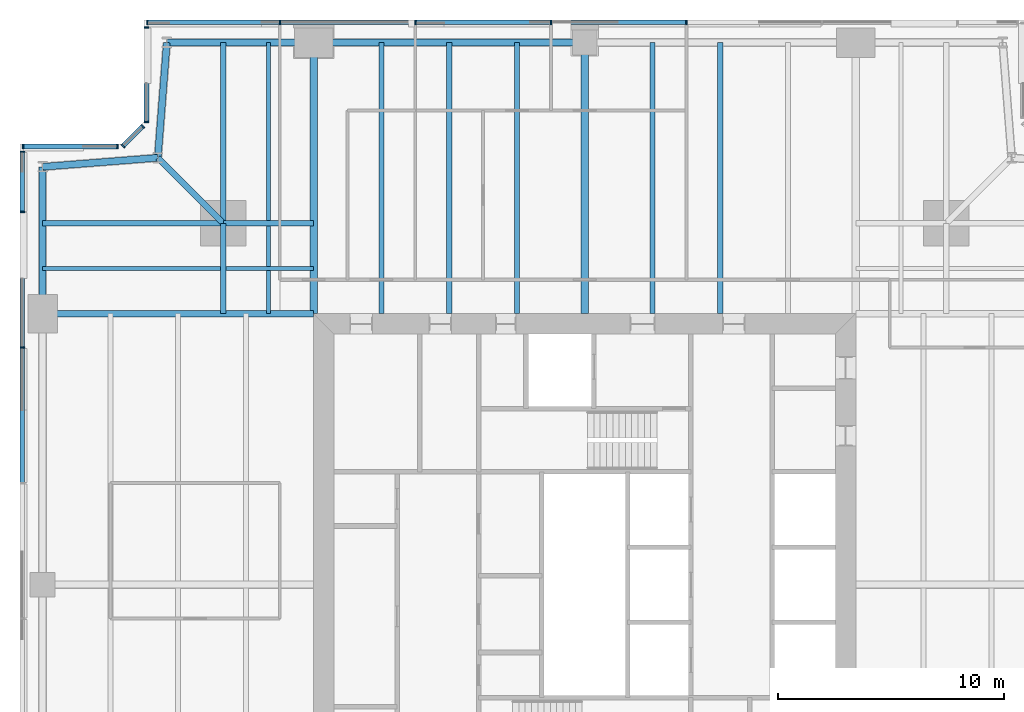
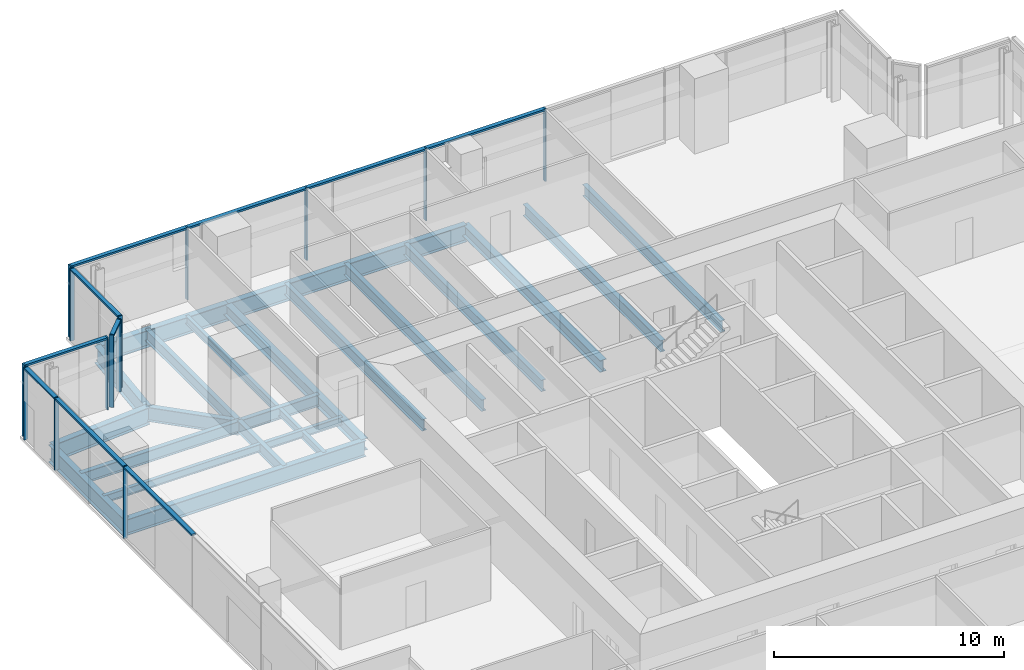
# One storey, part 6 of 15: 24 members, 23 beams, 5 elements without a shape of their own.
"""IFC4 building model written with IfcOpenShell, lengths in metres."""

from ifc_helpers import new_model, si_unit, direction, frame, origin, origin_2d, place, context, subcontext, project, spatial, rectangle, i_section, extrude, material, material_profile, profile_set, type_object, element, aggregate, save


model = new_model("IFC4")

# Units and contexts
model_context = context("Model", 3, precision=1e-05, world=origin(), true_north=direction((0.0, 1.0)))
body_context = subcontext(model_context, "Body", "Model", "MODEL_VIEW")
ifc_project = project(units=[si_unit("LENGTHUNIT", "METRE"), si_unit("AREAUNIT", "SQUARE_METRE"), si_unit("VOLUMEUNIT", "CUBIC_METRE"), si_unit("PLANEANGLEUNIT", "RADIAN"), si_unit("MASSUNIT", "GRAM", prefix="KILO")], contexts=[model_context])

# Site, building, storey
site_placement = place(None, origin())
site = spatial("IfcSite", under=ifc_project, at=site_placement, CompositionType="ELEMENT")
building_placement = place(site_placement, origin())
building = spatial("IfcBuilding", under=site, at=building_placement, Name="Fenwick Lantern Interchange", CompositionType="ELEMENT")
storey_placement = place(building_placement, frame((0.0, 0.0, 209.800048828125)))
storey = spatial("IfcBuildingStorey", under=building, at=storey_placement, Name="L49", CompositionType="ELEMENT", Elevation=209.800048828125)

# Beams
ifc_material_1 = material(Name="Steel ASTM A992 Grade 50", Category="steel")
ifc_material_profile_1 = material_profile(ifc_material_1, i_section(OverallWidth=0.3046875, OverallDepth=0.911865234375, WebThickness=0.015869140625, FlangeThickness=0.02392578125, at=origin_2d()), Name="W36X150")
ifc_profile_set_1 = profile_set([ifc_material_profile_1], Name="Steel ASTM A992 Grade 50")
beam_type_1 = type_object("IfcBeamType", Name="EDGE BEAM W36X150", PredefinedType="SPANDREL", material=ifc_profile_set_1)
beam_1_placement = place(storey_placement, frame((25.0, 49.0, -0.60595703125), z_axis=(-1.0, 0.0, 0.0), x_axis=(0.0, -1.0, 0.0)))
element("IfcBeam", 1, at=beam_1_placement, inside=storey, type_object=beam_type_1, Name="L49/FR/N/EB3", PredefinedType="SPANDREL", context=body_context, shape_type="SweptSolid", body=[
    extrude(i_section(OverallWidth=0.3046875, OverallDepth=0.911865234375, WebThickness=0.015869140625, FlangeThickness=0.02392578125, at=origin_2d()), origin(), (0.0, 0.0, 1.0), 12.0),
])
beam_2_placement = place(storey_placement, frame((13.0, 49.0, -0.60595703125), z_axis=(-1.0, 0.0, 0.0), x_axis=(0.0, -1.0, 0.0)))
element("IfcBeam", 2, at=beam_2_placement, inside=storey, type_object=beam_type_1, Name="L49/FR/N/EB4", PredefinedType="SPANDREL", context=body_context, shape_type="SweptSolid", body=[
    extrude(i_section(OverallWidth=0.3046875, OverallDepth=0.911865234375, WebThickness=0.015869140625, FlangeThickness=0.02392578125, at=origin_2d()), origin(), (0.0, 0.0, 1.0), 6.5),
])
for number, where, z_axis, x_axis, name in (
    (3, (6.5, 49.0, -0.60595703125), (-0.078170784639, -0.99693998236, 0.0), (0.99693998236, -0.078170784639, 0.0), "L49/FR/N/EBR1"),
    (4, (6.10009765625, 43.89990234375, -0.60595703125), (-0.99693998236, -0.078170784639, 0.0), (0.078170784639, -0.99693998236, 0.0), "L49/FR/N/EBR2"),
):
    element("IfcBeam", number, at=place(storey_placement, frame(where, z_axis=z_axis, x_axis=x_axis)), inside=storey, type_object=beam_type_1, Name=name, PredefinedType="SPANDREL", context=body_context, shape_type="SweptSolid", body=[
        extrude(i_section(OverallWidth=0.3046875, OverallDepth=0.911865234375, WebThickness=0.015869140625, FlangeThickness=0.02392578125, at=origin_2d()), origin(), (0.0, 0.0, 1.0), 5.11572265625),
    ])
beam_3_placement = place(storey_placement, frame((1.0, 43.5, -0.60595703125), z_axis=(0.0, -1.0, 0.0), x_axis=(1.0, 0.0, 0.0)))
element("IfcBeam", 5, at=beam_3_placement, inside=storey, type_object=beam_type_1, Name="L49/FR/W/EB1", PredefinedType="SPANDREL", context=body_context, shape_type="SweptSolid", body=[
    extrude(i_section(OverallWidth=0.3046875, OverallDepth=0.911865234375, WebThickness=0.015869140625, FlangeThickness=0.02392578125, at=origin_2d()), origin(), (0.0, 0.0, 1.0), 6.5),
])
ifc_material_profile_2 = material_profile(ifc_material_1, i_section(OverallWidth=0.22900390625, OverallDepth=0.612060546875, WebThickness=0.011962890625, FlangeThickness=0.01953125, at=origin_2d()), Name="W24X84")
ifc_profile_set_2 = profile_set([ifc_material_profile_2], Name="Steel ASTM A992 Grade 50")
beam_type_2 = type_object("IfcBeamType", Name="FLOOR BEAM W24X84", PredefinedType="BEAM", material=ifc_profile_set_2)
for number, where, z_axis, x_axis, name in (
    (6, (31.0, 49.0, -0.4560546875), (0.0, -1.0, 0.0), (1.0, 0.0, 0.0), "L49/FR/N/R03"),
    (7, (28.0, 49.0, -0.4560546875), (0.0, -1.0, 0.0), (1.0, 0.0, 0.0), "L49/FR/N/R04"),
    (8, (22.0, 49.0, -0.4560546875), (0.0, -1.0, 0.0), (1.0, 0.0, 0.0), "L49/FR/N/R06"),
    (9, (19.0, 49.0, -0.4560546875), (0.0, -1.0, 0.0), (1.0, 0.0, 0.0), "L49/FR/N/R07"),
    (10, (16.0, 49.0, -0.4560546875), (0.0, -1.0, 0.0), (1.0, 0.0, 0.0), "L49/FR/N/R08"),
):
    element("IfcBeam", number, at=place(storey_placement, frame(where, z_axis=z_axis, x_axis=x_axis)), inside=storey, type_object=beam_type_2, Name=name, PredefinedType="BEAM", context=body_context, shape_type="SweptSolid", body=[
        extrude(i_section(OverallWidth=0.22900390625, OverallDepth=0.612060546875, WebThickness=0.011962890625, FlangeThickness=0.01953125, at=origin_2d()), origin(), (0.0, 0.0, 1.0), 12.0),
    ])
ifc_material_profile_3 = material_profile(ifc_material_1, i_section(OverallWidth=0.177734375, OverallDepth=0.406494140625, WebThickness=0.0078125, FlangeThickness=0.012939453125, at=origin_2d()), Name="W16X40")
ifc_profile_set_3 = profile_set([ifc_material_profile_3], Name="Steel ASTM A992 Grade 50")
beam_type_3 = type_object("IfcBeamType", Name="INFILL BEAM W16X40", PredefinedType="JOIST", material=ifc_profile_set_3)
beam_4_placement = place(storey_placement, frame((1.0, 39.0, -0.353271484375), z_axis=(1.0, 0.0, 0.0), x_axis=(0.0, 1.0, 0.0)))
element("IfcBeam", 11, at=beam_4_placement, inside=storey, type_object=beam_type_3, Name="L49/FR/W/J1", PredefinedType="JOIST", context=body_context, shape_type="SweptSolid", body=[
    extrude(i_section(OverallWidth=0.177734375, OverallDepth=0.406494140625, WebThickness=0.0078125, FlangeThickness=0.012939453125, at=origin_2d()), origin(), (0.0, 0.0, 1.0), 7.885498046875),
])
beam_5_placement = place(storey_placement, frame((9.114501953125, 39.0, -0.353271484375), z_axis=(1.0, 0.0, 0.0), x_axis=(0.0, 1.0, 0.0)))
element("IfcBeam", 12, at=beam_5_placement, inside=storey, type_object=beam_type_3, Name="L49/FR/W/J2", PredefinedType="JOIST", context=body_context, shape_type="SweptSolid", body=[
    extrude(i_section(OverallWidth=0.177734375, OverallDepth=0.406494140625, WebThickness=0.0078125, FlangeThickness=0.012939453125, at=origin_2d()), origin(), (0.0, 0.0, 1.0), 3.885498046875),
])
beam_6_placement = place(storey_placement, frame((11.0, 49.0, -0.353271484375), z_axis=(0.0, -1.0, 0.0), x_axis=(1.0, 0.0, 0.0)))
element("IfcBeam", 13, at=beam_6_placement, inside=storey, type_object=beam_type_3, Name="L49/FR/W/J3", PredefinedType="JOIST", context=body_context, shape_type="SweptSolid", body=[
    extrude(i_section(OverallWidth=0.177734375, OverallDepth=0.406494140625, WebThickness=0.0078125, FlangeThickness=0.012939453125, at=origin_2d()), origin(), (0.0, 0.0, 1.0), 7.885498046875),
])
beam_7_placement = place(storey_placement, frame((11.0, 40.885498046875, -0.353271484375), z_axis=(0.0, -1.0, 0.0), x_axis=(1.0, 0.0, 0.0)))
element("IfcBeam", 14, at=beam_7_placement, inside=storey, type_object=beam_type_3, Name="L49/FR/W/J4", PredefinedType="JOIST", context=body_context, shape_type="SweptSolid", body=[
    extrude(i_section(OverallWidth=0.177734375, OverallDepth=0.406494140625, WebThickness=0.0078125, FlangeThickness=0.012939453125, at=origin_2d()), origin(), (0.0, 0.0, 1.0), 1.796630859375),
])
beam_8_placement = place(storey_placement, frame((11.0, 38.9111328125, -0.353271484375), z_axis=(0.0, -1.0, 0.0), x_axis=(1.0, 0.0, 0.0)))
element("IfcBeam", 15, at=beam_8_placement, inside=storey, type_object=beam_type_3, Name="L49/FR/W/J5", PredefinedType="JOIST", context=body_context, shape_type="SweptSolid", body=[
    extrude(i_section(OverallWidth=0.177734375, OverallDepth=0.406494140625, WebThickness=0.0078125, FlangeThickness=0.012939453125, at=origin_2d()), origin(), (0.0, 0.0, 1.0), 1.9111328125),
])
ifc_material_profile_4 = material_profile(ifc_material_1, i_section(OverallWidth=0.22900390625, OverallDepth=0.612060546875, WebThickness=0.011962890625, FlangeThickness=0.01953125, at=origin_2d()), Name="W24X84")
ifc_profile_set_4 = profile_set([ifc_material_profile_4], Name="Steel ASTM A992 Grade 50")
beam_type_4 = type_object("IfcBeamType", Name="MEGA COLUMN BEAM W24X84", PredefinedType="BEAM", material=ifc_profile_set_4)
for number, where, z_axis, x_axis, name in (
    (16, (9.0, 41.0, -0.4560546875), (-1.0, 0.0, 0.0), (0.0, -1.0, 0.0), "L49/FR/W/MB1"),
    (17, (9.0, 41.0, -0.4560546875), (0.0, 1.0, 0.0), (-1.0, 0.0, 0.0), "L49/FR/W/MB2"),
):
    element("IfcBeam", number, at=place(storey_placement, frame(where, z_axis=z_axis, x_axis=x_axis)), inside=storey, type_object=beam_type_4, Name=name, PredefinedType="BEAM", context=body_context, shape_type="SweptSolid", body=[
        extrude(i_section(OverallWidth=0.22900390625, OverallDepth=0.612060546875, WebThickness=0.011962890625, FlangeThickness=0.01953125, at=origin_2d()), origin(), (0.0, 0.0, 1.0), 8.0),
    ])
for number, where, z_axis, x_axis, name in (
    (18, (9.0, 41.0, -0.4560546875), (0.0, -1.0, 0.0), (1.0, 0.0, 0.0), "L49/FR/W/MB3"),
    (19, (9.0, 41.0, -0.4560546875), (1.0, 0.0, 0.0), (0.0, 1.0, 0.0), "L49/FR/W/MB4"),
):
    element("IfcBeam", number, at=place(storey_placement, frame(where, z_axis=z_axis, x_axis=x_axis)), inside=storey, type_object=beam_type_4, Name=name, PredefinedType="BEAM", context=body_context, shape_type="SweptSolid", body=[
        extrude(i_section(OverallWidth=0.22900390625, OverallDepth=0.612060546875, WebThickness=0.011962890625, FlangeThickness=0.01953125, at=origin_2d()), origin(), (0.0, 0.0, 1.0), 4.0),
    ])
ifc_material_profile_5 = material_profile(ifc_material_1, i_section(OverallWidth=0.32763671875, OverallDepth=0.622314453125, WebThickness=0.015380859375, FlangeThickness=0.0244140625, at=origin_2d()), Name="W24X131")
ifc_profile_set_5 = profile_set([ifc_material_profile_5], Name="Steel ASTM A992 Grade 50")
beam_type_5 = type_object("IfcBeamType", Name="MOMENT-CONNECTED GIRDER W24X131", PredefinedType="BEAM", material=ifc_profile_set_5)
for number, where, z_axis, x_axis, name in (
    (20, (25.0, 49.0, -0.461181640625), (0.0, -1.0, 0.0), (1.0, 0.0, 0.0), "L49/FR/N/R05"),
    (21, (13.0, 49.0, -0.461181640625), (0.0, -1.0, 0.0), (1.0, 0.0, 0.0), "L49/FR/N/R09"),
):
    element("IfcBeam", number, at=place(storey_placement, frame(where, z_axis=z_axis, x_axis=x_axis)), inside=storey, type_object=beam_type_5, Name=name, PredefinedType="BEAM", context=body_context, shape_type="SweptSolid", body=[
        extrude(i_section(OverallWidth=0.32763671875, OverallDepth=0.622314453125, WebThickness=0.015380859375, FlangeThickness=0.0244140625, at=origin_2d()), origin(), (0.0, 0.0, 1.0), 12.0),
    ])
ifc_material_profile_6 = material_profile(ifc_material_1, i_section(OverallWidth=0.2919921875, OverallDepth=0.845703125, WebThickness=0.015380859375, FlangeThickness=0.0244140625, at=origin_2d()), Name="W33X141")
ifc_profile_set_6 = profile_set([ifc_material_profile_6], Name="Steel ASTM A992 Grade 50")
beam_type_6 = type_object("IfcBeamType", Name="MOMENT-CONNECTED GIRDER W33X141", PredefinedType="BEAM", material=ifc_profile_set_6)
beam_9_placement = place(storey_placement, frame((1.0, 37.0, -0.572998046875), z_axis=(1.0, 0.0, 0.0), x_axis=(0.0, 1.0, 0.0)))
element("IfcBeam", 22, at=beam_9_placement, inside=storey, type_object=beam_type_6, Name="L49/FR/W/R01", PredefinedType="BEAM", context=body_context, shape_type="SweptSolid", body=[
    extrude(i_section(OverallWidth=0.2919921875, OverallDepth=0.845703125, WebThickness=0.015380859375, FlangeThickness=0.0244140625, at=origin_2d()), origin(), (0.0, 0.0, 1.0), 12.0),
])
ifc_material_profile_7 = material_profile(ifc_material_1, i_section(OverallWidth=0.2666015625, OverallDepth=0.7568359375, WebThickness=0.013916015625, FlangeThickness=0.019287109375, at=origin_2d()), Name="W30X108")
ifc_profile_set_7 = profile_set([ifc_material_profile_7], Name="Steel ASTM A992 Grade 50")
beam_type_7 = type_object("IfcBeamType", Name="NOTCH BEAM W30X108", PredefinedType="BEAM", material=ifc_profile_set_7)
beam_10_placement = place(storey_placement, frame((9.0, 41.0, -0.528564453125), z_axis=(-0.707106781187, 0.707106781187, 0.0), x_axis=(-0.707106781187, -0.707106781187, 0.0)))
element("IfcBeam", 23, at=beam_10_placement, inside=storey, type_object=beam_type_7, Name="L49/FR/W/TG", PredefinedType="BEAM", context=body_context, shape_type="SweptSolid", body=[
    extrude(i_section(OverallWidth=0.2666015625, OverallDepth=0.7568359375, WebThickness=0.013916015625, FlangeThickness=0.019287109375, at=origin_2d()), origin(), (0.0, 0.0, 1.0), 4.10107421875),
])

# Curtain wall, members
ifc_material_2 = material(Name="Aluminium curtain wall frame", Category="aluminium")
curtain_wall_type = type_object("IfcCurtainWallType", Name="OFFICE CURTAIN WALL", PredefinedType="USERDEFINED", material=ifc_material_2)
curtain_wall_1_placement = place(storey_placement, origin())
curtain_wall_1 = element("IfcCurtainWall", 24, at=curtain_wall_1_placement, inside=storey, type_object=curtain_wall_type, Name="Office curtain wall 09", ObjectType="OFFICE CURTAIN WALL", PredefinedType="USERDEFINED")
ifc_material_3 = material(Name="Aluminium extrusion", Category="aluminium")
ifc_material_profile_8 = material_profile(ifc_material_3, rectangle(XDim=0.199951171875, YDim=0.06494140625, at=origin_2d()), Name="OFFICE CURTAIN WALL MULLION 65 X 200")
ifc_profile_set_8 = profile_set([ifc_material_profile_8], Name="Aluminium extrusion")
member_type_1 = type_object("IfcMemberType", Name="OFFICE CURTAIN WALL MULLION 65 X 200", PredefinedType="MULLION", material=ifc_profile_set_8)
member_1_placement = place(storey_placement, frame((29.5, 49.89990234375, 0.0), z_axis=(0.0, 0.0, 1.0), x_axis=(0.0, -1.0, 0.0)))
member_1 = element("IfcMember", 25, at=member_1_placement, type_object=member_type_1, Name="L49/CW/09/M03", PredefinedType="MULLION", context=body_context, shape_type="SweptSolid", body=[
    extrude(rectangle(XDim=0.199951171875, YDim=0.06494140625, at=origin_2d()), origin(), (0.0, 0.0, 1.0), 3.849853515625),
])
member_2_placement = place(storey_placement, frame((23.5, 49.89990234375, 0.0), z_axis=(0.0, 0.0, 1.0), x_axis=(0.0, -1.0, 0.0)))
member_2 = element("IfcMember", 26, at=member_2_placement, type_object=member_type_1, Name="L49/CW/09/M04", PredefinedType="MULLION", context=body_context, shape_type="SweptSolid", body=[
    extrude(rectangle(XDim=0.199951171875, YDim=0.06494140625, at=origin_2d()), origin(), (0.0, 0.0, 1.0), 3.849853515625),
])
member_3_placement = place(storey_placement, frame((17.5, 49.89990234375, 0.0), z_axis=(0.0, 0.0, 1.0), x_axis=(0.0, -1.0, 0.0)))
member_3 = element("IfcMember", 27, at=member_3_placement, type_object=member_type_1, Name="L49/CW/09/M05", PredefinedType="MULLION", context=body_context, shape_type="SweptSolid", body=[
    extrude(rectangle(XDim=0.199951171875, YDim=0.06494140625, at=origin_2d()), origin(), (0.0, 0.0, 1.0), 3.849853515625),
])
member_4_placement = place(storey_placement, frame((11.5, 49.89990234375, 0.0), z_axis=(0.0, 0.0, 1.0), x_axis=(0.0, -1.0, 0.0)))
member_4 = element("IfcMember", 28, at=member_4_placement, type_object=member_type_1, Name="L49/CW/09/M06", PredefinedType="MULLION", context=body_context, shape_type="SweptSolid", body=[
    extrude(rectangle(XDim=0.199951171875, YDim=0.06494140625, at=origin_2d()), origin(), (0.0, 0.0, 1.0), 3.849853515625),
])
member_5_placement = place(storey_placement, frame((5.632568359375, 49.89990234375, 0.0), z_axis=(0.0, 0.0, 1.0), x_axis=(0.0, -1.0, 0.0)))
member_5 = element("IfcMember", 29, at=member_5_placement, type_object=member_type_1, Name="L49/CW/09/M07", PredefinedType="MULLION", context=body_context, shape_type="SweptSolid", body=[
    extrude(rectangle(XDim=0.199951171875, YDim=0.06494140625, at=origin_2d()), origin(), (0.0, 0.0, 1.0), 3.849853515625),
])

curtain_wall_2_placement = place(storey_placement, origin())
curtain_wall_2 = element("IfcCurtainWall", 30, at=curtain_wall_2_placement, inside=storey, type_object=curtain_wall_type, Name="Office curtain wall 10", ObjectType="OFFICE CURTAIN WALL", PredefinedType="USERDEFINED")
member_6_placement = place(storey_placement, frame((5.60009765625, 49.66748046875, 0.0), z_axis=(0.0, 0.0, 1.0), x_axis=(1.0, 0.0, 0.0)))
member_6 = element("IfcMember", 31, at=member_6_placement, type_object=member_type_1, Name="L49/CW/10/M00", PredefinedType="MULLION", context=body_context, shape_type="SweptSolid", body=[
    extrude(rectangle(XDim=0.199951171875, YDim=0.06494140625, at=origin_2d()), origin(), (0.0, 0.0, 1.0), 3.849853515625),
])
member_7_placement = place(storey_placement, frame((5.60009765625, 45.490966796875, 0.0), z_axis=(0.0, 0.0, 1.0), x_axis=(1.0, 0.0, 0.0)))
member_7 = element("IfcMember", 32, at=member_7_placement, type_object=member_type_1, Name="L49/CW/10/M01", PredefinedType="MULLION", context=body_context, shape_type="SweptSolid", body=[
    extrude(rectangle(XDim=0.199951171875, YDim=0.06494140625, at=origin_2d()), origin(), (0.0, 0.0, 1.0), 3.849853515625),
])

curtain_wall_3_placement = place(storey_placement, origin())
curtain_wall_3 = element("IfcCurtainWall", 33, at=curtain_wall_3_placement, inside=storey, type_object=curtain_wall_type, Name="Office curtain wall 11", ObjectType="OFFICE CURTAIN WALL", PredefinedType="USERDEFINED")
member_8_placement = place(storey_placement, frame((5.435546875, 45.294189453125, 0.0), z_axis=(0.0, 0.0, 1.0), x_axis=(0.707106781187, -0.707106781187, 0.0)))
member_8 = element("IfcMember", 34, at=member_8_placement, type_object=member_type_1, Name="L49/CW/11/M00", PredefinedType="MULLION", context=body_context, shape_type="SweptSolid", body=[
    extrude(rectangle(XDim=0.199951171875, YDim=0.06494140625, at=origin_2d()), origin(), (0.0, 0.0, 1.0), 3.849853515625),
])
member_9_placement = place(storey_placement, frame((4.564453125, 44.423095703125, 0.0), z_axis=(0.0, 0.0, 1.0), x_axis=(0.707106781187, -0.707106781187, 0.0)))
member_9 = element("IfcMember", 35, at=member_9_placement, type_object=member_type_1, Name="L49/CW/11/M01", PredefinedType="MULLION", context=body_context, shape_type="SweptSolid", body=[
    extrude(rectangle(XDim=0.199951171875, YDim=0.06494140625, at=origin_2d()), origin(), (0.0, 0.0, 1.0), 3.849853515625),
])

curtain_wall_4_placement = place(storey_placement, origin())
curtain_wall_4 = element("IfcCurtainWall", 36, at=curtain_wall_4_placement, inside=storey, type_object=curtain_wall_type, Name="Office curtain wall 12", ObjectType="OFFICE CURTAIN WALL", PredefinedType="USERDEFINED")
member_10_placement = place(storey_placement, frame((4.308837890625, 44.39990234375, 0.0), z_axis=(0.0, 0.0, 1.0), x_axis=(0.0, -1.0, 0.0)))
member_10 = element("IfcMember", 37, at=member_10_placement, type_object=member_type_1, Name="L49/CW/12/M00", PredefinedType="MULLION", context=body_context, shape_type="SweptSolid", body=[
    extrude(rectangle(XDim=0.199951171875, YDim=0.06494140625, at=origin_2d()), origin(), (0.0, 0.0, 1.0), 3.849853515625),
])
member_11_placement = place(storey_placement, frame((0.132568359375, 44.39990234375, 0.0), z_axis=(0.0, 0.0, 1.0), x_axis=(0.0, -1.0, 0.0)))
member_11 = element("IfcMember", 38, at=member_11_placement, type_object=member_type_1, Name="L49/CW/12/M01", PredefinedType="MULLION", context=body_context, shape_type="SweptSolid", body=[
    extrude(rectangle(XDim=0.199951171875, YDim=0.06494140625, at=origin_2d()), origin(), (0.0, 0.0, 1.0), 3.849853515625),
])

curtain_wall_5_placement = place(storey_placement, origin())
curtain_wall_5 = element("IfcCurtainWall", 39, at=curtain_wall_5_placement, inside=storey, type_object=curtain_wall_type, Name="Office curtain wall 13", ObjectType="OFFICE CURTAIN WALL", PredefinedType="USERDEFINED")
member_12_placement = place(storey_placement, frame((0.10009765625, 44.16748046875, 0.0), z_axis=(0.0, 0.0, 1.0), x_axis=(1.0, 0.0, 0.0)))
member_12 = element("IfcMember", 40, at=member_12_placement, type_object=member_type_1, Name="L49/CW/13/M00", PredefinedType="MULLION", context=body_context, shape_type="SweptSolid", body=[
    extrude(rectangle(XDim=0.199951171875, YDim=0.06494140625, at=origin_2d()), origin(), (0.0, 0.0, 1.0), 3.849853515625),
])
member_13_placement = place(storey_placement, frame((0.10009765625, 41.5, 0.0), z_axis=(0.0, 0.0, 1.0), x_axis=(1.0, 0.0, 0.0)))
member_13 = element("IfcMember", 41, at=member_13_placement, type_object=member_type_1, Name="L49/CW/13/M01", PredefinedType="MULLION", context=body_context, shape_type="SweptSolid", body=[
    extrude(rectangle(XDim=0.199951171875, YDim=0.06494140625, at=origin_2d()), origin(), (0.0, 0.0, 1.0), 3.849853515625),
])
member_14_placement = place(storey_placement, frame((0.10009765625, 35.5, 0.0), z_axis=(0.0, 0.0, 1.0), x_axis=(1.0, 0.0, 0.0)))
member_14 = element("IfcMember", 42, at=member_14_placement, type_object=member_type_1, Name="L49/CW/13/M02", PredefinedType="MULLION", context=body_context, shape_type="SweptSolid", body=[
    extrude(rectangle(XDim=0.199951171875, YDim=0.06494140625, at=origin_2d()), origin(), (0.0, 0.0, 1.0), 3.849853515625),
])

# Member
ifc_material_profile_9 = material_profile(ifc_material_3, rectangle(XDim=0.199951171875, YDim=0.10009765625, at=origin_2d()), Name="OFFICE CURTAIN WALL TRANSOM 100 X 200")
ifc_profile_set_9 = profile_set([ifc_material_profile_9], Name="Aluminium extrusion")
member_type_2 = type_object("IfcMemberType", Name="OFFICE CURTAIN WALL TRANSOM 100 X 200", PredefinedType="MULLION", material=ifc_profile_set_9)
member_15_placement = place(storey_placement, frame((29.467529296875, 49.89990234375, 3.800048828125), z_axis=(-1.0, 0.0, 0.0), x_axis=(0.0, -1.0, 0.0)))
member_15 = element("IfcMember", 43, at=member_15_placement, type_object=member_type_2, Name="L49/CW/09/T03", PredefinedType="MULLION", context=body_context, shape_type="SweptSolid", body=[
    extrude(rectangle(XDim=0.199951171875, YDim=0.10009765625, at=origin_2d()), origin(), (0.0, 0.0, 1.0), 5.93505859375),
])

member_16_placement = place(storey_placement, frame((23.467529296875, 49.89990234375, 3.800048828125), z_axis=(-1.0, 0.0, 0.0), x_axis=(0.0, -1.0, 0.0)))
member_16 = element("IfcMember", 44, at=member_16_placement, type_object=member_type_2, Name="L49/CW/09/T04", PredefinedType="MULLION", context=body_context, shape_type="SweptSolid", body=[
    extrude(rectangle(XDim=0.199951171875, YDim=0.10009765625, at=origin_2d()), origin(), (0.0, 0.0, 1.0), 5.93505859375),
])

member_17_placement = place(storey_placement, frame((17.467529296875, 49.89990234375, 3.800048828125), z_axis=(-1.0, 0.0, 0.0), x_axis=(0.0, -1.0, 0.0)))
member_17 = element("IfcMember", 45, at=member_17_placement, type_object=member_type_2, Name="L49/CW/09/T05", PredefinedType="MULLION", context=body_context, shape_type="SweptSolid", body=[
    extrude(rectangle(XDim=0.199951171875, YDim=0.10009765625, at=origin_2d()), origin(), (0.0, 0.0, 1.0), 5.93505859375),
])

member_18_placement = place(storey_placement, frame((11.467529296875, 49.89990234375, 3.800048828125), z_axis=(-1.0, 0.0, 0.0), x_axis=(0.0, -1.0, 0.0)))
member_18 = element("IfcMember", 46, at=member_18_placement, type_object=member_type_2, Name="L49/CW/09/T06", PredefinedType="MULLION", context=body_context, shape_type="SweptSolid", body=[
    extrude(rectangle(XDim=0.199951171875, YDim=0.10009765625, at=origin_2d()), origin(), (0.0, 0.0, 1.0), 5.802490234375),
])

aggregate(curtain_wall_1, [member_1, member_2, member_3, member_4, member_5, member_15, member_16, member_17, member_18])

member_19_placement = place(storey_placement, frame((5.60009765625, 49.635009765625, 3.800048828125), z_axis=(0.0, -1.0, 0.0), x_axis=(1.0, 0.0, 0.0)))
member_19 = element("IfcMember", 47, at=member_19_placement, type_object=member_type_2, Name="L49/CW/10/T00", PredefinedType="MULLION", context=body_context, shape_type="SweptSolid", body=[
    extrude(rectangle(XDim=0.199951171875, YDim=0.10009765625, at=origin_2d()), origin(), (0.0, 0.0, 1.0), 4.111328125),
])

aggregate(curtain_wall_2, [member_6, member_7, member_19])

member_20_placement = place(storey_placement, frame((5.41259765625, 45.271240234375, 3.800048828125), z_axis=(-0.707106781187, -0.707106781187, 0.0), x_axis=(0.707106781187, -0.707106781187, 0.0)))
member_20 = element("IfcMember", 48, at=member_20_placement, type_object=member_type_2, Name="L49/CW/11/T00", PredefinedType="MULLION", context=body_context, shape_type="SweptSolid", body=[
    extrude(rectangle(XDim=0.199951171875, YDim=0.10009765625, at=origin_2d()), origin(), (0.0, 0.0, 1.0), 1.1669921875),
])

aggregate(curtain_wall_3, [member_8, member_9, member_20])

member_21_placement = place(storey_placement, frame((4.2763671875, 44.39990234375, 3.800048828125), z_axis=(-1.0, 0.0, 0.0), x_axis=(0.0, -1.0, 0.0)))
member_21 = element("IfcMember", 49, at=member_21_placement, type_object=member_type_2, Name="L49/CW/12/T00", PredefinedType="MULLION", context=body_context, shape_type="SweptSolid", body=[
    extrude(rectangle(XDim=0.199951171875, YDim=0.10009765625, at=origin_2d()), origin(), (0.0, 0.0, 1.0), 4.111328125),
])

aggregate(curtain_wall_4, [member_10, member_11, member_21])

member_22_placement = place(storey_placement, frame((0.10009765625, 44.135009765625, 3.800048828125), z_axis=(0.0, -1.0, 0.0), x_axis=(1.0, 0.0, 0.0)))
member_22 = element("IfcMember", 50, at=member_22_placement, type_object=member_type_2, Name="L49/CW/13/T00", PredefinedType="MULLION", context=body_context, shape_type="SweptSolid", body=[
    extrude(rectangle(XDim=0.199951171875, YDim=0.10009765625, at=origin_2d()), origin(), (0.0, 0.0, 1.0), 2.6025390625),
])

member_23_placement = place(storey_placement, frame((0.10009765625, 41.467529296875, 3.800048828125), z_axis=(0.0, -1.0, 0.0), x_axis=(1.0, 0.0, 0.0)))
member_23 = element("IfcMember", 51, at=member_23_placement, type_object=member_type_2, Name="L49/CW/13/T01", PredefinedType="MULLION", context=body_context, shape_type="SweptSolid", body=[
    extrude(rectangle(XDim=0.199951171875, YDim=0.10009765625, at=origin_2d()), origin(), (0.0, 0.0, 1.0), 5.93505859375),
])

member_24_placement = place(storey_placement, frame((0.10009765625, 35.467529296875, 3.800048828125), z_axis=(0.0, -1.0, 0.0), x_axis=(1.0, 0.0, 0.0)))
member_24 = element("IfcMember", 52, at=member_24_placement, type_object=member_type_2, Name="L49/CW/13/T02", PredefinedType="MULLION", context=body_context, shape_type="SweptSolid", body=[
    extrude(rectangle(XDim=0.199951171875, YDim=0.10009765625, at=origin_2d()), origin(), (0.0, 0.0, 1.0), 5.93505859375),
])

aggregate(curtain_wall_5, [member_12, member_13, member_14, member_22, member_23, member_24])

save(model, "model.ifc")
